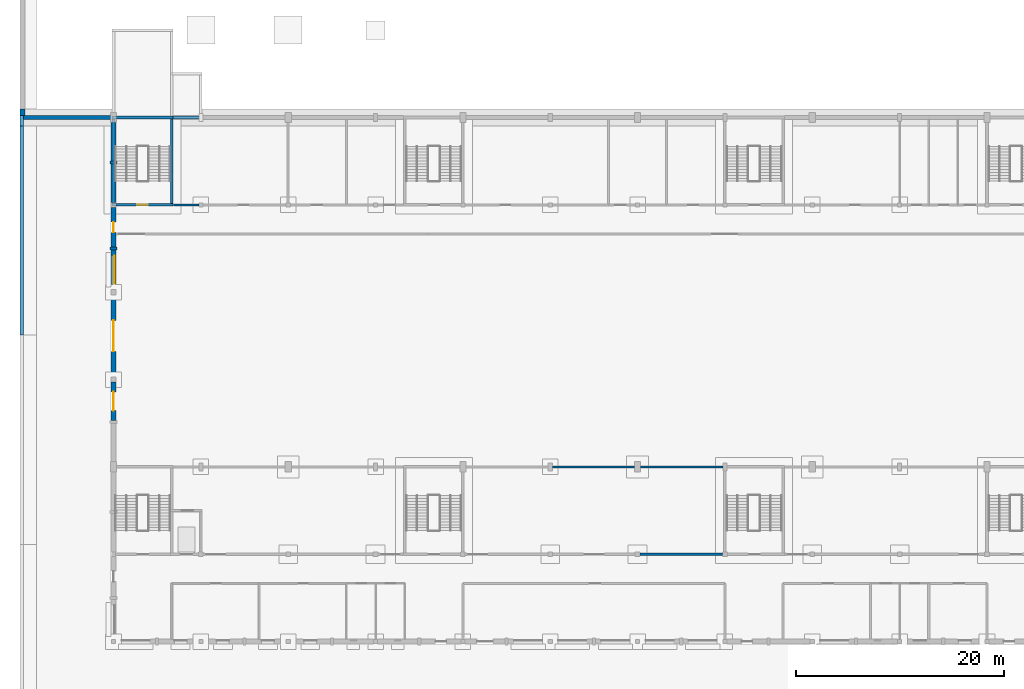
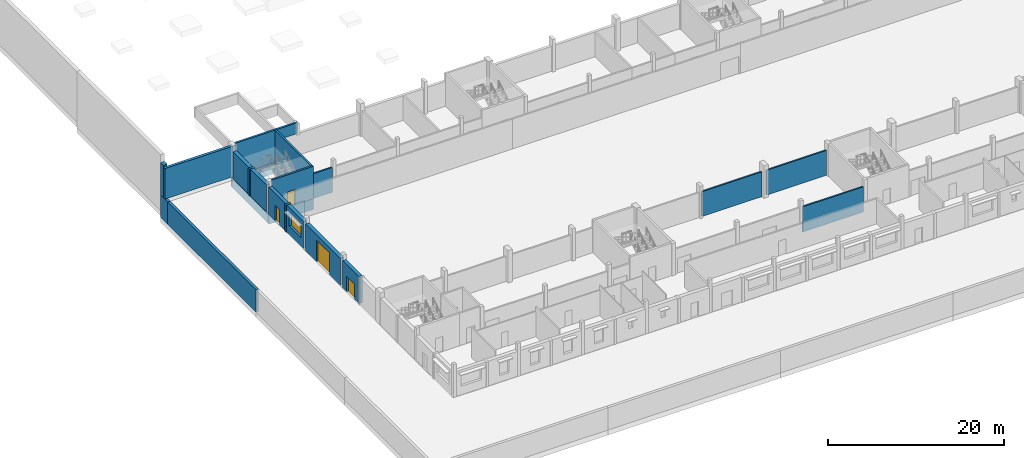
# One storey, part 18 of 36: 24 walls, 4 doors, 1 window, 5 openings.
"""IFC4 building model written with IfcOpenShell, lengths in metres."""

from ifc_helpers import new_model, si_unit, direction, frame, frame_2d, origin, place, context, subcontext, project, spatial, rectangle, extrude, material, layer, layer_set, type_object, element, fill, save


model = new_model("IFC4")

# Units and contexts
model_context = context("Model", 3, precision=1e-05, world=origin(), true_north=direction((0.0, 1.0)))
body_context = subcontext(model_context, "Body", "Model", "MODEL_VIEW")
ifc_project = project(units=[si_unit("LENGTHUNIT", "METRE"), si_unit("AREAUNIT", "SQUARE_METRE"), si_unit("VOLUMEUNIT", "CUBIC_METRE"), si_unit("PLANEANGLEUNIT", "RADIAN"), si_unit("MASSUNIT", "GRAM", prefix="KILO")], contexts=[model_context])

# Site, building, storey
site_placement = place(None, origin())
site = spatial("IfcSite", under=ifc_project, at=site_placement, CompositionType="ELEMENT")
building_placement = place(site_placement, origin())
building = spatial("IfcBuilding", under=site, at=building_placement, Name="Fescue Hill Polytechnic", CompositionType="ELEMENT")
storey_placement = place(building_placement, origin())
storey = spatial("IfcBuildingStorey", under=building, at=storey_placement, Name="L00", CompositionType="ELEMENT", Elevation=0.0)

# Wall, opening, door
ifc_material_1 = material(Name="Concrete 40 MPa", Category="concrete")
ifc_layer_1 = layer(ifc_material_1, 0.25)
ifc_layer_set_1 = layer_set([ifc_layer_1], Name="Concrete 40 MPa")
wall_type_1 = type_object("IfcWallType", Name="Core wall 250", PredefinedType="SHEAR", material=ifc_layer_set_1)
wall_1_placement = place(storey_placement, frame((0.25, 42.0, 0.0), z_axis=(0.0, 0.0, 1.0), x_axis=(1.0, 0.0, 0.0)))
wall_1 = element("IfcWall", 1, at=wall_1_placement, inside=storey, type_object=wall_type_1, Name="CW-L00-ST-V1-5-11", PredefinedType="SHEAR", context=body_context, shape_type="SweptSolid", body=[
    extrude(rectangle(XDim=5.47509765625, YDim=0.25, at=frame_2d((2.737548828125, 0.0))), origin(), (0.0, 0.0, 1.0), 4.5),
])
opening_1_placement = place(wall_1_placement, frame((2.050048828125, 0.0, 0.0)))
opening_1 = element("IfcOpeningElement", 2, at=opening_1_placement, cuts=wall_1, Name="Opening D0075", PredefinedType="OPENING", context=body_context, shape_type="SweptSolid", body=[
    extrude(rectangle(XDim=1.0, YDim=2.10009765625, at=frame_2d((0.5, 1.050048828125))), frame((0.0, 0.135009765625, 0.0), z_axis=(0.0, -1.0, 0.0), x_axis=(1.0, 0.0, 0.0)), (0.0, 0.0, 1.0), 0.27001953125),
])
ifc_material_2 = material(Name="Steel fire door", Category="steel")
door_type_1 = type_object("IfcDoorType", Name="Door single swing 1000x2100 stair fire rated", OperationType="NOTDEFINED", PredefinedType="DOOR", material=ifc_material_2)
door_1_placement = place(opening_1_placement, origin())
door_1 = element("IfcDoor", 3, at=door_1_placement, inside=storey, type_object=door_type_1, Name="L00 ST-V1-5 stair door", OperationType="SINGLE_SWING_RIGHT", OverallHeight=2.10009765625, OverallWidth=1.0, PredefinedType="DOOR", context=body_context, shape_type="SweptSolid", body=[
    extrude(rectangle(XDim=1.0, YDim=2.10009765625, at=frame_2d((0.5, 1.050048828125))), frame((0.0, 0.02490234375, 0.0), z_axis=(0.0, -1.0, 0.0), x_axis=(1.0, 0.0, 0.0)), (0.0, 0.0, 1.0), 0.050048828125),
])
fill(opening_1, door_1)

# Walls
wall_2_placement = place(storey_placement, frame((0.300048828125, 50.39990234375, 0.0), z_axis=(0.0, 0.0, 1.0), x_axis=(1.0, 0.0, 0.0)))
element("IfcWall", 4, at=wall_2_placement, inside=storey, type_object=wall_type_1, Name="CW-L00-ST-V1-5-21", PredefinedType="SHEAR", context=body_context, shape_type="SweptSolid", body=[
    extrude(rectangle(XDim=5.425048828125, YDim=0.25, at=frame_2d((2.71240234375, 0.0))), origin(), (0.0, 0.0, 1.0), 4.5),
])
wall_3_placement = place(storey_placement, frame((5.60009765625, 42.125, 0.0), z_axis=(0.0, 0.0, 1.0), x_axis=(0.0, 1.0, 0.0)))
element("IfcWall", 5, at=wall_3_placement, inside=storey, type_object=wall_type_1, Name="CW-L00-ST-V1-5-41", PredefinedType="SHEAR", context=body_context, shape_type="SweptSolid", body=[
    extrude(rectangle(XDim=8.14990234375, YDim=0.25, at=frame_2d((4.074951171875, 0.0))), origin(), (0.0, 0.0, 1.0), 4.5),
])
for number, where, z_axis, x_axis, name in (
    (6, (-0.125, 42.0, -1.5), (0.0, 0.0, 1.0), (1.0, 0.0, 0.0), "FW-ST-V1-5-1"),
    (7, (-0.125, 50.39990234375, -1.5), (0.0, 0.0, 1.0), (1.0, 0.0, 0.0), "FW-ST-V1-5-2"),
):
    element("IfcWall", number, at=place(storey_placement, frame(where, z_axis=z_axis, x_axis=x_axis)), inside=storey, type_object=wall_type_1, Name=name, PredefinedType="SHEAR", context=body_context, shape_type="SweptSolid", body=[
        extrude(rectangle(XDim=5.85009765625, YDim=0.25, at=frame_2d((2.925048828125, 0.0))), origin(), (0.0, 0.0, 1.0), 1.5),
    ])
for number, where, z_axis, x_axis, name in (
    (8, (0.0, 42.125, -1.5), (0.0, 0.0, 1.0), (0.0, 1.0, 0.0), "FW-ST-V1-5-3"),
    (9, (5.60009765625, 42.125, -1.5), (0.0, 0.0, 1.0), (0.0, 1.0, 0.0), "FW-ST-V1-5-4"),
):
    element("IfcWall", number, at=place(storey_placement, frame(where, z_axis=z_axis, x_axis=x_axis)), inside=storey, type_object=wall_type_1, Name=name, PredefinedType="SHEAR", context=body_context, shape_type="SweptSolid", body=[
        extrude(rectangle(XDim=8.14990234375, YDim=0.25, at=frame_2d((4.074951171875, 0.0))), origin(), (0.0, 0.0, 1.0), 1.5),
    ])

# Wall, opening, door
ifc_material_3 = material(Name="Clay brick masonry", Category="masonry")
ifc_layer_2 = layer(ifc_material_3, 0.47998046875)
ifc_layer_set_2 = layer_set([ifc_layer_2], Name="Clay brick masonry")
wall_type_2 = type_object("IfcWallType", Name="Exterior wall engineering brick cavity 480", PredefinedType="SOLIDWALL", material=ifc_layer_set_2)
wall_4_placement = place(storey_placement, frame((0.0, 41.75, 0.0), z_axis=(0.0, 0.0, 1.0), x_axis=(0.0, -1.0, 0.0)))
wall_4 = element("IfcWall", 10, at=wall_4_placement, inside=storey, type_object=wall_type_2, Name="EW-L00-V1-14", PredefinedType="SOLIDWALL", context=body_context, shape_type="SweptSolid", body=[
    extrude(rectangle(XDim=3.800048828125, YDim=0.47998046875, at=frame_2d((1.89990234375, 0.0))), origin(), (0.0, 0.0, 1.0), 3.75),
])
opening_2_placement = place(wall_4_placement, frame((2.39990234375, 0.0, 0.0), z_axis=(0.0, 0.0, 1.0), x_axis=(-1.0, 0.0, 0.0)))
opening_2 = element("IfcOpeningElement", 11, at=opening_2_placement, cuts=wall_4, Name="Opening D0005", PredefinedType="OPENING", context=body_context, shape_type="SweptSolid", body=[
    extrude(rectangle(XDim=1.0, YDim=2.10009765625, at=frame_2d((0.5, 1.050048828125))), frame((0.0, 0.25, 0.0), z_axis=(0.0, -1.0, 0.0), x_axis=(1.0, 0.0, 0.0)), (0.0, 0.0, 1.0), 0.5),
])
ifc_material_4 = material(Name="Hollow metal")
door_type_2 = type_object("IfcDoorType", Name="Door exit single 1000x2100 fire rated", OperationType="SINGLE_SWING_LEFT", PredefinedType="DOOR", material=ifc_material_4)
door_2_placement = place(opening_2_placement, origin())
door_2 = element("IfcDoor", 12, at=door_2_placement, inside=storey, type_object=door_type_2, Name="Door D0005", OperationType="SINGLE_SWING_LEFT", OverallHeight=2.10009765625, OverallWidth=1.0, PredefinedType="DOOR", context=body_context, shape_type="SweptSolid", body=[
    extrude(rectangle(XDim=1.0, YDim=2.10009765625, at=frame_2d((0.5, 1.050048828125))), frame((0.0, 0.02490234375, 0.0), z_axis=(0.0, -1.0, 0.0), x_axis=(1.0, 0.0, 0.0)), (0.0, 0.0, 1.0), 0.050048828125),
])
fill(opening_2, door_2)

# Wall, opening, window
wall_5_placement = place(storey_placement, frame((0.0, 37.64990234375, 0.0), z_axis=(0.0, 0.0, 1.0), x_axis=(0.0, -1.0, 0.0)))
wall_5 = element("IfcWall", 13, at=wall_5_placement, inside=storey, type_object=wall_type_2, Name="EW-L00-V1-15", PredefinedType="SOLIDWALL", context=body_context, shape_type="SweptSolid", body=[
    extrude(rectangle(XDim=3.7998046875, YDim=0.47998046875, at=frame_2d((1.89990234375, 0.0))), origin(), (0.0, 0.0, 1.0), 3.75),
])
opening_3_placement = place(wall_5_placement, frame((0.550048828125, 0.0, 1.199951171875)))
opening_3 = element("IfcOpeningElement", 14, at=opening_3_placement, cuts=wall_5, Name="Opening W15", PredefinedType="OPENING", context=body_context, shape_type="SweptSolid", body=[
    extrude(rectangle(XDim=2.699951171875, YDim=1.800048828125, at=frame_2d((1.35009765625, 0.89990234375))), frame((0.0, 0.25, 0.0), z_axis=(0.0, -1.0, 0.0), x_axis=(1.0, 0.0, 0.0)), (0.0, 0.0, 1.0), 0.5),
])
ifc_material_5 = material(Name="Powder-coated aluminium and glass", Category="aluminium")
window_type = type_object("IfcWindowType", Name="Window workshop bench-level 2700x1800", PartitioningType="TRIPLE_PANEL_VERTICAL", PredefinedType="WINDOW", material=ifc_material_5)
window_placement = place(opening_3_placement, origin())
window = element("IfcWindow", 15, at=window_placement, inside=storey, type_object=window_type, Name="WN-L00-V1-4", OverallHeight=1.800048828125, OverallWidth=2.699951171875, PartitioningType="SINGLE_PANEL", PredefinedType="WINDOW", context=body_context, shape_type="SweptSolid", body=[
    extrude(rectangle(XDim=2.699951171875, YDim=1.800048828125, at=frame_2d((1.35009765625, 0.89990234375))), frame((0.0, 0.1201171875, 0.0), z_axis=(0.0, -1.0, 0.0), x_axis=(1.0, 0.0, 0.0)), (0.0, 0.0, 1.0), 0.06005859375),
])
fill(opening_3, window)

# Wall, opening, door
wall_6_placement = place(storey_placement, frame((0.0, 33.35009765625, 0.0), z_axis=(0.0, 0.0, 1.0), x_axis=(0.0, -1.0, 0.0)))
wall_6 = element("IfcWall", 16, at=wall_6_placement, inside=storey, type_object=wall_type_2, Name="EW-L00-V1-16", PredefinedType="SOLIDWALL", context=body_context, shape_type="SweptSolid", body=[
    extrude(rectangle(XDim=7.900146484375, YDim=0.47998046875, at=frame_2d((3.9501953125, 0.0))), origin(), (0.0, 0.0, 1.0), 3.75),
])
opening_4_placement = place(wall_6_placement, frame((2.449951171875, 0.0, 0.0)))
opening_4 = element("IfcOpeningElement", 17, at=opening_4_placement, cuts=wall_6, Name="Opening D0006", PredefinedType="OPENING", context=body_context, shape_type="SweptSolid", body=[
    extrude(rectangle(XDim=3.0, YDim=3.0, at=frame_2d((1.5, 1.5))), frame((0.0, 0.25, 0.0), z_axis=(0.0, -1.0, 0.0), x_axis=(1.0, 0.0, 0.0)), (0.0, 0.0, 1.0), 0.5),
])
ifc_material_6 = material(Name="Galvanised steel", Category="steel")
door_type_3 = type_object("IfcDoorType", Name="Door sliding service access 3000x3000", OperationType="SLIDING_TO_LEFT", PredefinedType="DOOR", material=ifc_material_6)
door_3_placement = place(opening_4_placement, origin())
door_3 = element("IfcDoor", 18, at=door_3_placement, inside=storey, type_object=door_type_3, Name="Door D0006", OperationType="SINGLE_SWING_LEFT", OverallHeight=3.0, OverallWidth=3.0, PredefinedType="DOOR", context=body_context, shape_type="SweptSolid", body=[
    extrude(rectangle(XDim=3.0, YDim=3.0, at=frame_2d((1.5, 1.5))), frame((0.0, 0.02490234375, 0.0), z_axis=(0.0, -1.0, 0.0), x_axis=(1.0, 0.0, 0.0)), (0.0, 0.0, 1.0), 0.050048828125),
])
fill(opening_4, door_3)

wall_7_placement = place(storey_placement, frame((0.0, 24.949951171875, 0.0), z_axis=(0.0, 0.0, 1.0), x_axis=(0.0, -1.0, 0.0)))
wall_7 = element("IfcWall", 19, at=wall_7_placement, inside=storey, type_object=wall_type_2, Name="EW-L00-V1-17", PredefinedType="SOLIDWALL", context=body_context, shape_type="SweptSolid", body=[
    extrude(rectangle(XDim=3.675048828125, YDim=0.47998046875, at=frame_2d((1.83740234375, 0.0))), origin(), (0.0, 0.0, 1.0), 3.75),
])
opening_5_placement = place(wall_7_placement, frame((0.9375, 0.0, 0.0)))
opening_5 = element("IfcOpeningElement", 20, at=opening_5_placement, cuts=wall_7, Name="Opening D0007", PredefinedType="OPENING", context=body_context, shape_type="SweptSolid", body=[
    extrude(rectangle(XDim=1.800048828125, YDim=2.10009765625, at=frame_2d((0.89990234375, 1.050048828125))), frame((0.0, 0.25, 0.0), z_axis=(0.0, -1.0, 0.0), x_axis=(1.0, 0.0, 0.0)), (0.0, 0.0, 1.0), 0.5),
])
door_type_4 = type_object("IfcDoorType", Name="Door exit double 1800x2100 fire rated", OperationType="DOUBLE_DOOR_SINGLE_SWING", PredefinedType="DOOR", material=ifc_material_4)
door_4_placement = place(opening_5_placement, origin())
door_4 = element("IfcDoor", 21, at=door_4_placement, inside=storey, type_object=door_type_4, Name="Door D0007", OperationType="SINGLE_SWING_LEFT", OverallHeight=2.10009765625, OverallWidth=1.800048828125, PredefinedType="DOOR", context=body_context, shape_type="SweptSolid", body=[
    extrude(rectangle(XDim=1.800048828125, YDim=2.10009765625, at=frame_2d((0.89990234375, 1.050048828125))), frame((0.0, 0.02490234375, 0.0), z_axis=(0.0, -1.0, 0.0), x_axis=(1.0, 0.0, 0.0)), (0.0, 0.0, 1.0), 0.050048828125),
])
fill(opening_5, door_4)

# Walls
ifc_layer_3 = layer(ifc_material_3, 0.47998046875)
ifc_layer_set_3 = layer_set([ifc_layer_3], Name="Clay brick masonry")
wall_type_3 = type_object("IfcWallType", Name="Exterior wall engineering brick cavity 480 load-bearing", PredefinedType="SOLIDWALL", material=ifc_layer_set_3)
wall_8_placement = place(storey_placement, frame((0.0, 49.89990234375, 0.0), z_axis=(0.0, 0.0, 1.0), x_axis=(0.0, -1.0, 0.0)))
element("IfcWall", 22, at=wall_8_placement, inside=storey, type_object=wall_type_3, Name="EW-L00-V1-12", PredefinedType="SOLIDWALL", context=body_context, shape_type="SweptSolid", body=[
    extrude(rectangle(XDim=3.6748046875, YDim=0.47998046875, at=frame_2d((1.83740234375, 0.0))), origin(), (0.0, 0.0, 1.0), 3.75),
])
wall_9_placement = place(storey_placement, frame((0.0, 45.925048828125, 0.0), z_axis=(0.0, 0.0, 1.0), x_axis=(0.0, -1.0, 0.0)))
element("IfcWall", 23, at=wall_9_placement, inside=storey, type_object=wall_type_3, Name="EW-L00-V1-13", PredefinedType="SOLIDWALL", context=body_context, shape_type="SweptSolid", body=[
    extrude(rectangle(XDim=3.675048828125, YDim=0.47998046875, at=frame_2d((1.83740234375, 0.0))), origin(), (0.0, 0.0, 1.0), 3.75),
])
ifc_layer_4 = layer(ifc_material_1, 0.699951171875)
ifc_layer_set_4 = layer_set([ifc_layer_4], Name="Concrete 40 MPa")
wall_type_4 = type_object("IfcWallType", Name="Fin wall board-marked 300x700", PredefinedType="SOLIDWALL", material=ifc_layer_set_4)
wall_10_placement = place(storey_placement, frame((0.0, 37.949951171875, 0.0), z_axis=(0.0, 0.0, 1.0), x_axis=(0.0, -1.0, 0.0)))
element("IfcWall", 24, at=wall_10_placement, inside=storey, type_object=wall_type_4, Name="PR-L00-V1-7", PredefinedType="SOLIDWALL", context=body_context, shape_type="SweptSolid", body=[
    extrude(rectangle(XDim=0.300048828125, YDim=0.699951171875, at=frame_2d((0.14990234375, 0.0))), origin(), (0.0, 0.0, 1.0), 3.75),
])
ifc_layer_5 = layer(ifc_material_1, 0.699951171875)
ifc_layer_set_5 = layer_set([ifc_layer_5], Name="Concrete 40 MPa")
wall_type_5 = type_object("IfcWallType", Name="Fin wall board-marked 300x700 load-bearing", PredefinedType="SOLIDWALL", material=ifc_layer_set_5)
wall_11_placement = place(storey_placement, frame((0.0, 46.22509765625, 0.0), z_axis=(0.0, 0.0, 1.0), x_axis=(0.0, -1.0, 0.0)))
element("IfcWall", 25, at=wall_11_placement, inside=storey, type_object=wall_type_5, Name="PR-L00-V1-6", PredefinedType="SOLIDWALL", context=body_context, shape_type="SweptSolid", body=[
    extrude(rectangle(XDim=0.300048828125, YDim=0.699951171875, at=frame_2d((0.14990234375, 0.0))), origin(), (0.0, 0.0, 1.0), 3.75),
])
ifc_layer_6 = layer(ifc_material_1, 0.25)
ifc_layer_set_6 = layer_set([ifc_layer_6], Name="Concrete 40 MPa")
wall_type_6 = type_object("IfcWallType", Name="Lift pit wall 250", PredefinedType="SHEAR", material=ifc_layer_set_6)
wall_12_placement = place(storey_placement, frame((5.72509765625, 50.39990234375, 3.0), z_axis=(0.0, 0.0, 1.0), x_axis=(1.0, 0.0, 0.0)))
element("IfcWall", 26, at=wall_12_placement, inside=storey, type_object=wall_type_6, Name="PW-L01-LF-V4-1-1", PredefinedType="SHEAR", context=body_context, shape_type="SweptSolid", body=[
    extrude(rectangle(XDim=2.7998046875, YDim=0.25, at=frame_2d((1.39990234375, 0.0))), origin(), (0.0, 0.0, 1.0), 1.5),
])
ifc_material_7 = material(Name="Concrete 35 MPa", Category="concrete")
ifc_layer_7 = layer(ifc_material_7, 0.35009765625)
ifc_layer_set_7 = layer_set([ifc_layer_7], Name="Concrete 35 MPa")
wall_type_7 = type_object("IfcWallType", Name="Retaining wall 350", PredefinedType="SOLIDWALL", material=ifc_layer_set_7)
wall_13_placement = place(storey_placement, frame((-8.989990234375, 50.39990234375, 0.0), z_axis=(0.0, 0.0, 1.0), x_axis=(1.0, 0.0, 0.0)))
element("IfcWall", 27, at=wall_13_placement, inside=storey, type_object=wall_type_7, Name="RT-RW5", PredefinedType="SOLIDWALL", context=body_context, shape_type="SweptSolid", body=[
    extrude(rectangle(XDim=8.989990234375, YDim=0.35009765625, at=frame_2d((4.4951171875, 0.0))), origin(), (0.0, 0.0, 1.0), 4.25),
])
wall_14_placement = place(storey_placement, frame((-8.818115234375, 29.468994140625, -3.10009765625), z_axis=(0.0, 0.0, 1.0), x_axis=(0.0, 1.0, 0.0)))
element("IfcWall", 28, at=wall_14_placement, inside=storey, type_object=wall_type_7, Name="RT-PW03", PredefinedType="SOLIDWALL", context=body_context, shape_type="SweptSolid", body=[
    extrude(rectangle(XDim=20.131103515625, YDim=0.35009765625, at=frame_2d((10.0654296875, 0.0))), origin(), (0.0, 0.0, 1.0), 3.10009765625),
])
wall_15_placement = place(storey_placement, frame((-8.818115234375, 49.60009765625, -3.10009765625), z_axis=(0.0, 0.0, 1.0), x_axis=(0.0, 1.0, 0.0)))
element("IfcWall", 29, at=wall_15_placement, inside=storey, type_object=wall_type_7, Name="RT-PW04", PredefinedType="SOLIDWALL", context=body_context, shape_type="SweptSolid", body=[
    extrude(rectangle(XDim=1.599853515625, YDim=0.35009765625, at=frame_2d((0.7998046875, 0.0))), origin(), (0.0, 0.0, 1.0), 3.10009765625),
])
ifc_layer_8 = layer(ifc_material_7, 0.5)
ifc_layer_set_8 = layer_set([ifc_layer_8], Name="Concrete 35 MPa")
wall_type_8 = type_object("IfcWallType", Name="Retaining wall 500", PredefinedType="SOLIDWALL", material=ifc_layer_set_8)
wall_16_placement = place(storey_placement, frame((-8.742919921875, 50.574951171875, 0.0), z_axis=(0.0, 0.0, 1.0), x_axis=(0.0, 1.0, 0.0)))
element("IfcWall", 30, at=wall_16_placement, inside=storey, type_object=wall_type_8, Name="RT-PW06", PredefinedType="SOLIDWALL", context=body_context, shape_type="SweptSolid", body=[
    extrude(rectangle(XDim=0.625, YDim=0.5, at=frame_2d((0.3125, 0.0))), origin(), (0.0, 0.0, 1.0), 4.5),
])
ifc_material_8 = material(Name="Concrete masonry block 15 MPa", Category="masonry")
ifc_layer_9 = layer(ifc_material_8, 0.199951171875)
ifc_layer_set_9 = layer_set([ifc_layer_9], Name="Concrete masonry block 15 MPa")
wall_type_9 = type_object("IfcWallType", Name="Workshop wall 200 block EI 60", PredefinedType="PARTITIONING", material=ifc_layer_set_9)
wall_17_placement = place(storey_placement, frame((50.625, 8.39990234375, 0.0), z_axis=(0.0, 0.0, 1.0), x_axis=(1.0, 0.0, 0.0)))
element("IfcWall", 31, at=wall_17_placement, inside=storey, type_object=wall_type_9, Name="IW-L00-017", PredefinedType="PARTITIONING", context=body_context, shape_type="SweptSolid", body=[
    extrude(rectangle(XDim=7.949951171875, YDim=0.199951171875, at=frame_2d((3.97509765625, 0.0))), origin(), (0.0, 0.0, 1.0), 3.5),
])
for number, where, z_axis, x_axis, name in (
    (32, (42.199951171875, 16.800048828125, 0.0), (0.0, 0.0, 1.0), (1.0, 0.0, 0.0), "IW-L00-030"),
    (33, (50.699951171875, 16.800048828125, 0.0), (0.0, 0.0, 1.0), (1.0, 0.0, 0.0), "IW-L00-031"),
):
    element("IfcWall", number, at=place(storey_placement, frame(where, z_axis=z_axis, x_axis=x_axis)), inside=storey, type_object=wall_type_9, Name=name, PredefinedType="PARTITIONING", context=body_context, shape_type="SweptSolid", body=[
        extrude(rectangle(XDim=7.900146484375, YDim=0.199951171875, at=frame_2d((3.9501953125, 0.0))), origin(), (0.0, 0.0, 1.0), 3.449951171875),
    ])
wall_18_placement = place(storey_placement, frame((5.75, 42.0, 0.0), z_axis=(0.0, 0.0, 1.0), x_axis=(1.0, 0.0, 0.0)))
element("IfcWall", 34, at=wall_18_placement, inside=storey, type_object=wall_type_9, Name="IW-L00-058", PredefinedType="PARTITIONING", context=body_context, shape_type="SweptSolid", body=[
    extrude(rectangle(XDim=2.449951171875, YDim=0.199951171875, at=frame_2d((1.22509765625, 0.0))), origin(), (0.0, 0.0, 1.0), 3.449951171875),
])

save(model, "model.ifc")
